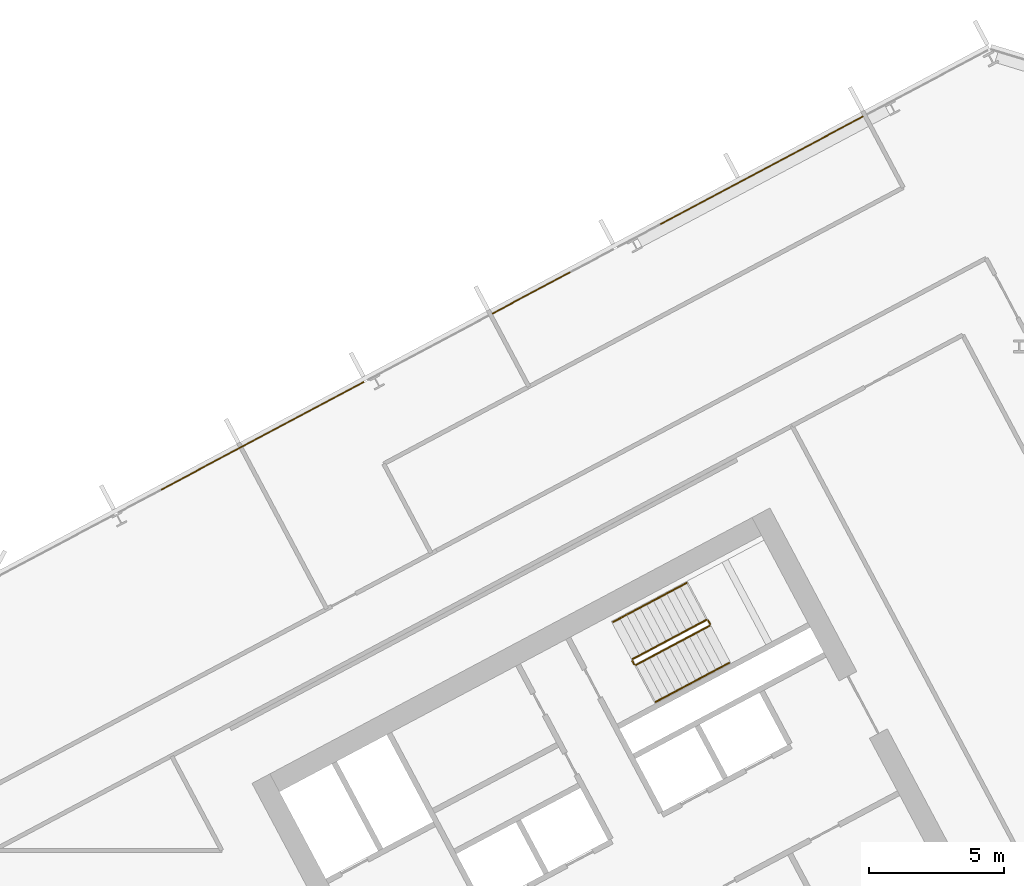
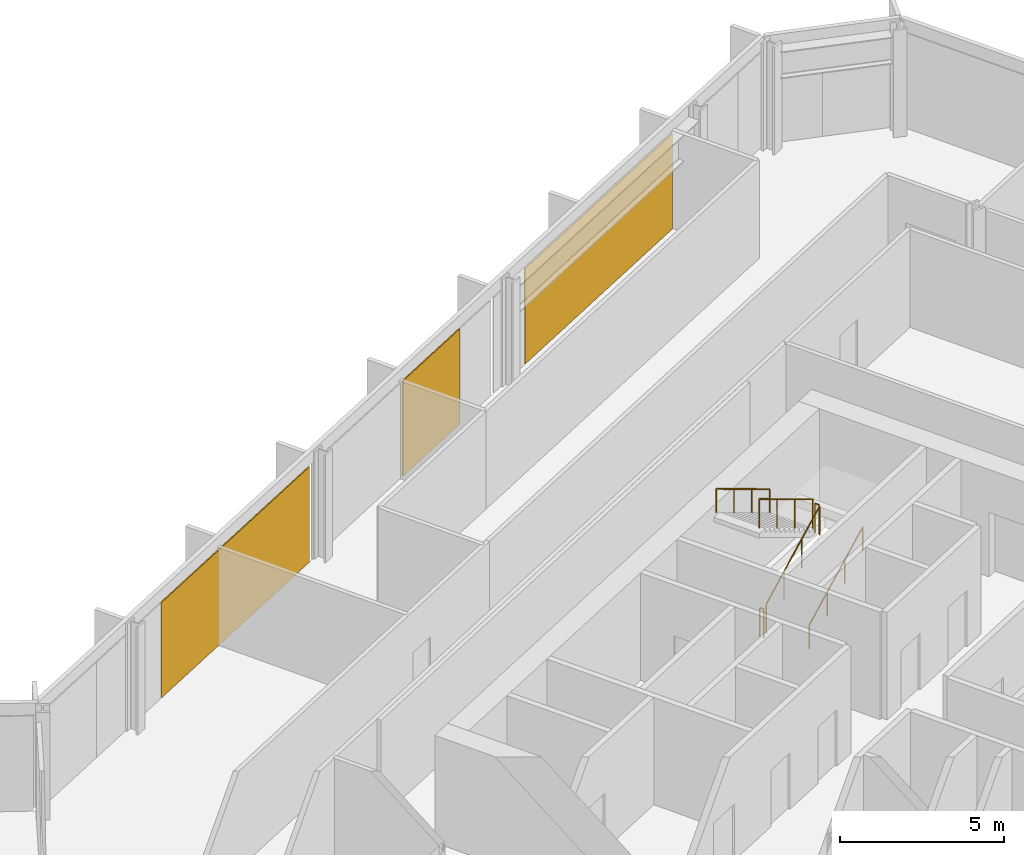
# One storey, part 27 of 28: 6 railings, 3 coverings, 1 element without a shape of its own.
"""IFC4 building model written with IfcOpenShell, lengths in metres."""

from ifc_helpers import new_model, si_unit, direction, frame, origin, origin_2d, place, context, subcontext, project, spatial, polyline, rectangle, outline, extrude, material, layer, layer_set, type_object, element, aggregate, save


model = new_model("IFC4")

# Units and contexts
model_context = context("Model", 3, precision=1e-05, world=origin(), true_north=direction((0.0, 1.0)))
body_context = subcontext(model_context, "Body", "Model", "MODEL_VIEW")
ifc_project = project(units=[si_unit("LENGTHUNIT", "METRE"), si_unit("AREAUNIT", "SQUARE_METRE"), si_unit("VOLUMEUNIT", "CUBIC_METRE"), si_unit("PLANEANGLEUNIT", "RADIAN"), si_unit("MASSUNIT", "GRAM", prefix="KILO")], contexts=[model_context])

# Site, building, storey
site_placement = place(None, origin())
site = spatial("IfcSite", under=ifc_project, at=site_placement, CompositionType="ELEMENT")
building_placement = place(site_placement, origin())
building = spatial("IfcBuilding", under=site, at=building_placement, Name="Cormorant Relay Tower", CompositionType="ELEMENT")
storey_placement = place(building_placement, frame((0.0, 0.0, 138.199951171875)))
storey = spatial("IfcBuildingStorey", under=building, at=storey_placement, Name="L28", CompositionType="ELEMENT", Elevation=138.199951171875)

# Curtain wall, coverings
ifc_material_1 = material(Name="Aluminium 6063-T6 anodised bronze", Category="aluminium")
ifc_layer_1 = layer(ifc_material_1, 0.199951171875)
ifc_layer_set_1 = layer_set([ifc_layer_1], Name="CW1 unitised bronze curtain wall with vertical fins")
curtain_wall_type = type_object("IfcCurtainWallType", Name="CW1 unitised bronze curtain wall with vertical fins", PredefinedType="NOTDEFINED", material=ifc_layer_set_1)
curtain_wall_placement = place(storey_placement, origin())
curtain_wall = element("IfcCurtainWall", 1, at=curtain_wall_placement, inside=storey, type_object=curtain_wall_type, Name="CW1 curtain wall 8", PredefinedType="NOTDEFINED")
ifc_material_2 = material(Name="Pale bronze anodised aluminium insulated panel", Category="aluminium")
ifc_layer_2 = layer(ifc_material_2, 0.0400390625)
ifc_layer_set_2 = layer_set([ifc_layer_2], Name="CW1 pale bronze insulated panel 40")
covering_type = type_object("IfcCoveringType", Name="CW1 pale bronze insulated panel 40", PredefinedType="CLADDING", material=ifc_layer_set_2)
covering_1_placement = place(storey_placement, frame((28.48828125, 38.9541015625, 0.0), z_axis=(0.0, 0.0, 1.0), x_axis=(-0.882947592859, -0.469471562786, 0.0)))
covering_1 = element("IfcCovering", 2, at=covering_1_placement, type_object=covering_type, Name="CW1 panel S02", PredefinedType="CLADDING", context=body_context, shape_type="SweptSolid", body=[
    extrude(rectangle(XDim=8.508544921875, YDim=0.0400390625, at=origin_2d()), origin(), (0.0, 0.0, 1.0), 3.550048828125),
])
covering_2_placement = place(storey_placement, frame((19.97314453125, 34.426513671875, 0.0), z_axis=(0.0, 0.0, 1.0), x_axis=(-0.882947592859, -0.469471562786, 0.0)))
covering_2 = element("IfcCovering", 3, at=covering_2_placement, type_object=covering_type, Name="CW1 panel S05", PredefinedType="CLADDING", context=body_context, shape_type="SweptSolid", body=[
    extrude(rectangle(XDim=3.279296875, YDim=0.0400390625, at=origin_2d()), origin(), (0.0, 0.0, 1.0), 3.550048828125),
])
covering_3_placement = place(storey_placement, frame((10.01953125, 29.134033203125, 0.0), z_axis=(0.0, 0.0, 1.0), x_axis=(-0.882947592859, -0.469471562786, 0.0)))
covering_3 = element("IfcCovering", 4, at=covering_3_placement, type_object=covering_type, Name="CW1 panel S07", PredefinedType="CLADDING", context=body_context, shape_type="SweptSolid", body=[
    extrude(rectangle(XDim=8.508544921875, YDim=0.0400390625, at=origin_2d()), origin(), (0.0, 0.0, 1.0), 3.550048828125),
])
aggregate(curtain_wall, [covering_1, covering_2, covering_3])

# Railings
ifc_material_3 = material(Name="Steel ASTM A572 Grade 50 (Fy 345 MPa)", Category="steel")
railing_type_1 = type_object("IfcRailingType", Name="Stair guard 1100", PredefinedType="GUARDRAIL", material=ifc_material_3)
railing_1_placement = place(storey_placement, frame((23.8408203125, 20.6611328125, 0.166748046875)))
element("IfcRailing", 5, at=railing_1_placement, inside=storey, type_object=railing_type_1, Name="L28 B2 stair guard 1", PredefinedType="GUARDRAIL", context=body_context, shape_type="SweptSolid", body=[
    extrude(outline(polyline([(0.022216796875, 0.00927734375), (0.00927734375, 0.022216796875), (-0.00927734375, 0.022216796875), (-0.022216796875, 0.00927734375), (-0.022216796875, -0.00927734375), (-0.00927734375, -0.022216796875), (0.00927734375, -0.022216796875), (0.022216796875, -0.00927734375), (0.022216796875, 0.00927734375)])), frame((0.0, 0.0, 1.076171875), z_axis=(0.758734504837, 0.403377838015, 0.511476559549), x_axis=(-0.469427602063, 0.882970965786, 0.0)), (0.0, 0.0, 1.0), 3.584228515625),
    extrude(outline(polyline([(0.019287109375, 0.008056640625), (0.008056640625, 0.019287109375), (-0.008056640625, 0.019287109375), (-0.019287109375, 0.008056640625), (-0.019287109375, -0.008056640625), (-0.008056640625, -0.019287109375), (0.008056640625, -0.019287109375), (0.019287109375, -0.008056640625), (0.019287109375, 0.008056640625)])), origin(), (0.0, 0.0, 1.0), 1.052001953125),
    extrude(outline(polyline([(0.019287109375, 0.008056640625), (0.008056640625, 0.019287109375), (-0.008056640625, 0.019287109375), (-0.019287109375, 0.008056640625), (-0.019287109375, -0.008056640625), (-0.008056640625, -0.019287109375), (0.008056640625, -0.019287109375), (0.019287109375, -0.008056640625), (0.019287109375, 0.008056640625)])), frame((0.906494140625, 0.48193359375, 0.611083984375)), (0.0, 0.0, 1.0), 1.052001953125),
    extrude(outline(polyline([(0.019287109375, 0.008056640625), (0.008056640625, 0.019287109375), (-0.008056640625, 0.019287109375), (-0.019287109375, 0.008056640625), (-0.019287109375, -0.008056640625), (-0.008056640625, -0.019287109375), (0.008056640625, -0.019287109375), (0.019287109375, -0.008056640625), (0.019287109375, 0.008056640625)])), frame((1.81298828125, 0.9638671875, 1.22216796875)), (0.0, 0.0, 1.0), 1.052001953125),
    extrude(outline(polyline([(0.019287109375, 0.008056640625), (0.008056640625, 0.019287109375), (-0.008056640625, 0.019287109375), (-0.019287109375, 0.008056640625), (-0.019287109375, -0.008056640625), (-0.008056640625, -0.019287109375), (0.008056640625, -0.019287109375), (0.019287109375, -0.008056640625), (0.019287109375, 0.008056640625)])), frame((2.719482421875, 1.44580078125, 1.833251953125)), (0.0, 0.0, 1.0), 1.052001953125),
])
railing_2_placement = place(storey_placement, frame((26.5810546875, 22.174560546875, 2.0)))
element("IfcRailing", 6, at=railing_2_placement, inside=storey, type_object=railing_type_1, Name="L28 B2 stair guard 2", PredefinedType="GUARDRAIL", context=body_context, shape_type="SweptSolid", body=[
    extrude(outline(polyline([(0.022216796875, 0.00927734375), (0.00927734375, 0.022216796875), (-0.00927734375, 0.022216796875), (-0.022216796875, 0.00927734375), (-0.022216796875, -0.00927734375), (-0.00927734375, -0.022216796875), (0.00927734375, -0.022216796875), (0.022216796875, -0.00927734375), (0.022216796875, 0.00927734375)])), frame((0.0, 0.0, 1.076171875), z_axis=(-0.469828648786, 0.882757634224, 0.0), x_axis=(-0.882757634224, -0.469828648786, 0.0)), (0.0, 0.0, 1.0), 0.150146484375),
    extrude(outline(polyline([(0.019287109375, 0.008056640625), (0.008056640625, 0.019287109375), (-0.008056640625, 0.019287109375), (-0.019287109375, 0.008056640625), (-0.019287109375, -0.008056640625), (-0.008056640625, -0.019287109375), (0.008056640625, -0.019287109375), (0.019287109375, -0.008056640625), (0.019287109375, 0.008056640625)])), origin(), (0.0, 0.0, 1.0), 1.052001953125),
    extrude(outline(polyline([(0.019287109375, 0.008056640625), (0.008056640625, 0.019287109375), (-0.008056640625, 0.019287109375), (-0.019287109375, 0.008056640625), (-0.019287109375, -0.008056640625), (-0.008056640625, -0.019287109375), (0.008056640625, -0.019287109375), (0.019287109375, -0.008056640625), (0.019287109375, 0.008056640625)])), frame((-0.070556640625, 0.132568359375, 0.0)), (0.0, 0.0, 1.0), 1.052001953125),
])
railing_3_placement = place(storey_placement, frame((26.44287109375, 22.32763671875, 2.166748046875)))
element("IfcRailing", 7, at=railing_3_placement, inside=storey, type_object=railing_type_1, Name="L28 B2 stair guard 3", PredefinedType="GUARDRAIL", context=body_context, shape_type="SweptSolid", body=[
    extrude(outline(polyline([(0.022216796875, 0.00927734375), (0.00927734375, 0.022216796875), (-0.00927734375, 0.022216796875), (-0.022216796875, 0.00927734375), (-0.022216796875, -0.00927734375), (-0.00927734375, -0.022216796875), (0.00927734375, -0.022216796875), (0.022216796875, -0.00927734375), (0.022216796875, 0.00927734375)])), frame((0.0, 0.0, 1.076171875), z_axis=(-0.758734504837, -0.403377838015, 0.511476559549), x_axis=(0.469427602063, -0.882970965786, 0.0)), (0.0, 0.0, 1.0), 3.584228515625),
    extrude(outline(polyline([(0.019287109375, 0.008056640625), (0.008056640625, 0.019287109375), (-0.008056640625, 0.019287109375), (-0.019287109375, 0.008056640625), (-0.019287109375, -0.008056640625), (-0.008056640625, -0.019287109375), (0.008056640625, -0.019287109375), (0.019287109375, -0.008056640625), (0.019287109375, 0.008056640625)])), origin(), (0.0, 0.0, 1.0), 1.052001953125),
    extrude(outline(polyline([(0.019287109375, 0.008056640625), (0.008056640625, 0.019287109375), (-0.008056640625, 0.019287109375), (-0.019287109375, 0.008056640625), (-0.019287109375, -0.008056640625), (-0.008056640625, -0.019287109375), (0.008056640625, -0.019287109375), (0.019287109375, -0.008056640625), (0.019287109375, 0.008056640625)])), frame((-0.906494140625, -0.48193359375, 0.611083984375)), (0.0, 0.0, 1.0), 1.052001953125),
    extrude(outline(polyline([(0.019287109375, 0.008056640625), (0.008056640625, 0.019287109375), (-0.008056640625, 0.019287109375), (-0.019287109375, 0.008056640625), (-0.019287109375, -0.008056640625), (-0.008056640625, -0.019287109375), (0.008056640625, -0.019287109375), (0.019287109375, -0.008056640625), (0.019287109375, 0.008056640625)])), frame((-1.81298828125, -0.9638671875, 1.22216796875)), (0.0, 0.0, 1.0), 1.052001953125),
    extrude(outline(polyline([(0.019287109375, 0.008056640625), (0.008056640625, 0.019287109375), (-0.008056640625, 0.019287109375), (-0.019287109375, 0.008056640625), (-0.019287109375, -0.008056640625), (-0.008056640625, -0.019287109375), (0.008056640625, -0.019287109375), (0.019287109375, -0.008056640625), (0.019287109375, 0.008056640625)])), frame((-2.719482421875, -1.44580078125, 1.833251953125)), (0.0, 0.0, 1.0), 1.052001953125),
])
railing_4_placement = place(storey_placement, frame((23.773193359375, 20.681640625, 0.0)))
element("IfcRailing", 8, at=railing_4_placement, inside=storey, type_object=railing_type_1, Name="L28 B2 stair guard 4", PredefinedType="GUARDRAIL", context=body_context, shape_type="SweptSolid", body=[
    extrude(outline(polyline([(0.022216796875, 0.00927734375), (0.00927734375, 0.022216796875), (-0.00927734375, 0.022216796875), (-0.022216796875, 0.00927734375), (-0.022216796875, -0.00927734375), (-0.00927734375, -0.022216796875), (0.00927734375, -0.022216796875), (0.022216796875, -0.00927734375), (0.022216796875, 0.00927734375)])), frame((0.0, 0.0, 1.076171875), z_axis=(-0.46856034887, 0.8834314911, 0.0), x_axis=(-0.8834314911, -0.46856034887, 0.0)), (0.0, 0.0, 1.0), 0.150146484375),
    extrude(outline(polyline([(0.019287109375, 0.008056640625), (0.008056640625, 0.019287109375), (-0.008056640625, 0.019287109375), (-0.019287109375, 0.008056640625), (-0.019287109375, -0.008056640625), (-0.008056640625, -0.019287109375), (0.008056640625, -0.019287109375), (0.019287109375, -0.008056640625), (0.019287109375, 0.008056640625)])), origin(), (0.0, 0.0, 1.0), 1.052001953125),
    extrude(outline(polyline([(0.019287109375, 0.008056640625), (0.008056640625, 0.019287109375), (-0.008056640625, 0.019287109375), (-0.019287109375, 0.008056640625), (-0.019287109375, -0.008056640625), (-0.008056640625, -0.019287109375), (0.008056640625, -0.019287109375), (0.019287109375, -0.008056640625), (0.019287109375, 0.008056640625)])), frame((-0.0703125, 0.132568359375, 0.0)), (0.0, 0.0, 1.0), 1.052001953125),
])
ifc_material_4 = material(Name="Steel ASTM A572 Grade 50 (Fy 345 MPa)", Category="steel")
railing_type_2 = type_object("IfcRailingType", Name="Stair handrail 900", PredefinedType="HANDRAIL", material=ifc_material_4)
railing_5_placement = place(storey_placement, frame((24.568603515625, 19.29248046875, 0.166748046875)))
element("IfcRailing", 9, at=railing_5_placement, inside=storey, type_object=railing_type_2, Name="L28 B2 stair handrail 1", PredefinedType="HANDRAIL", context=body_context, shape_type="SweptSolid", body=[
    extrude(outline(polyline([(0.022216796875, 0.00927734375), (0.00927734375, 0.022216796875), (-0.00927734375, 0.022216796875), (-0.022216796875, 0.00927734375), (-0.022216796875, -0.00927734375), (-0.00927734375, -0.022216796875), (0.00927734375, -0.022216796875), (0.022216796875, -0.00927734375), (0.022216796875, 0.00927734375)])), frame((0.0, 0.0, 0.8759765625), z_axis=(0.758713656843, 0.403434867536, 0.511462505542), x_axis=(-0.469489399267, 0.882938108802, 0.0)), (0.0, 0.0, 1.0), 3.584228515625),
    extrude(outline(polyline([(0.019287109375, 0.008056640625), (0.008056640625, 0.019287109375), (-0.008056640625, 0.019287109375), (-0.019287109375, 0.008056640625), (-0.019287109375, -0.008056640625), (-0.008056640625, -0.019287109375), (0.008056640625, -0.019287109375), (0.019287109375, -0.008056640625), (0.019287109375, 0.008056640625)])), origin(), (0.0, 0.0, 1.0), 0.851806640625),
    extrude(outline(polyline([(0.019287109375, 0.008056640625), (0.008056640625, 0.019287109375), (-0.008056640625, 0.019287109375), (-0.019287109375, 0.008056640625), (-0.019287109375, -0.008056640625), (-0.008056640625, -0.019287109375), (0.008056640625, -0.019287109375), (0.019287109375, -0.008056640625), (0.019287109375, 0.008056640625)])), frame((0.906494140625, 0.48193359375, 0.611083984375)), (0.0, 0.0, 1.0), 0.851806640625),
    extrude(outline(polyline([(0.019287109375, 0.008056640625), (0.008056640625, 0.019287109375), (-0.008056640625, 0.019287109375), (-0.019287109375, 0.008056640625), (-0.019287109375, -0.008056640625), (-0.008056640625, -0.019287109375), (0.008056640625, -0.019287109375), (0.019287109375, -0.008056640625), (0.019287109375, 0.008056640625)])), frame((1.81298828125, 0.964111328125, 1.22216796875)), (0.0, 0.0, 1.0), 0.851806640625),
    extrude(outline(polyline([(0.019287109375, 0.008056640625), (0.008056640625, 0.019287109375), (-0.008056640625, 0.019287109375), (-0.019287109375, 0.008056640625), (-0.019287109375, -0.008056640625), (-0.008056640625, -0.019287109375), (0.008056640625, -0.019287109375), (0.019287109375, -0.008056640625), (0.019287109375, 0.008056640625)])), frame((2.719482421875, 1.446044921875, 1.833251953125)), (0.0, 0.0, 1.0), 0.851806640625),
])
railing_6_placement = place(storey_placement, frame((25.71533203125, 23.6962890625, 2.166748046875)))
element("IfcRailing", 10, at=railing_6_placement, inside=storey, type_object=railing_type_2, Name="L28 B2 stair handrail 2", PredefinedType="HANDRAIL", context=body_context, shape_type="SweptSolid", body=[
    extrude(outline(polyline([(0.022216796875, 0.00927734375), (0.00927734375, 0.022216796875), (-0.00927734375, 0.022216796875), (-0.022216796875, 0.00927734375), (-0.022216796875, -0.00927734375), (-0.00927734375, -0.022216796875), (0.00927734375, -0.022216796875), (0.022216796875, -0.00927734375), (0.022216796875, 0.00927734375)])), frame((0.0, 0.0, 0.8759765625), z_axis=(-0.758713656843, -0.403434867536, 0.511462505542), x_axis=(0.469489399267, -0.882938108802, 0.0)), (0.0, 0.0, 1.0), 3.584228515625),
    extrude(outline(polyline([(0.019287109375, 0.008056640625), (0.008056640625, 0.019287109375), (-0.008056640625, 0.019287109375), (-0.019287109375, 0.008056640625), (-0.019287109375, -0.008056640625), (-0.008056640625, -0.019287109375), (0.008056640625, -0.019287109375), (0.019287109375, -0.008056640625), (0.019287109375, 0.008056640625)])), origin(), (0.0, 0.0, 1.0), 0.851806640625),
    extrude(outline(polyline([(0.019287109375, 0.008056640625), (0.008056640625, 0.019287109375), (-0.008056640625, 0.019287109375), (-0.019287109375, 0.008056640625), (-0.019287109375, -0.008056640625), (-0.008056640625, -0.019287109375), (0.008056640625, -0.019287109375), (0.019287109375, -0.008056640625), (0.019287109375, 0.008056640625)])), frame((-0.906494140625, -0.48193359375, 0.611083984375)), (0.0, 0.0, 1.0), 0.851806640625),
    extrude(outline(polyline([(0.019287109375, 0.008056640625), (0.008056640625, 0.019287109375), (-0.008056640625, 0.019287109375), (-0.019287109375, 0.008056640625), (-0.019287109375, -0.008056640625), (-0.008056640625, -0.019287109375), (0.008056640625, -0.019287109375), (0.019287109375, -0.008056640625), (0.019287109375, 0.008056640625)])), frame((-1.81298828125, -0.964111328125, 1.22216796875)), (0.0, 0.0, 1.0), 0.851806640625),
    extrude(outline(polyline([(0.019287109375, 0.008056640625), (0.008056640625, 0.019287109375), (-0.008056640625, 0.019287109375), (-0.019287109375, 0.008056640625), (-0.019287109375, -0.008056640625), (-0.008056640625, -0.019287109375), (0.008056640625, -0.019287109375), (0.019287109375, -0.008056640625), (0.019287109375, 0.008056640625)])), frame((-2.719482421875, -1.446044921875, 1.833251953125)), (0.0, 0.0, 1.0), 0.851806640625),
])

save(model, "model.ifc")
